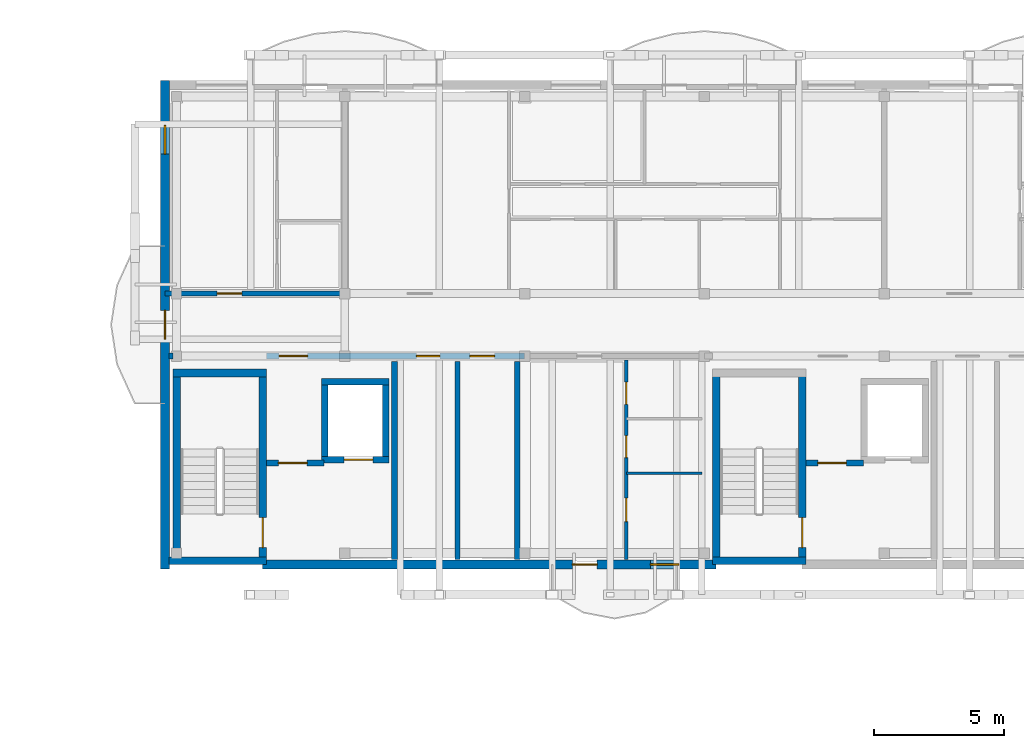
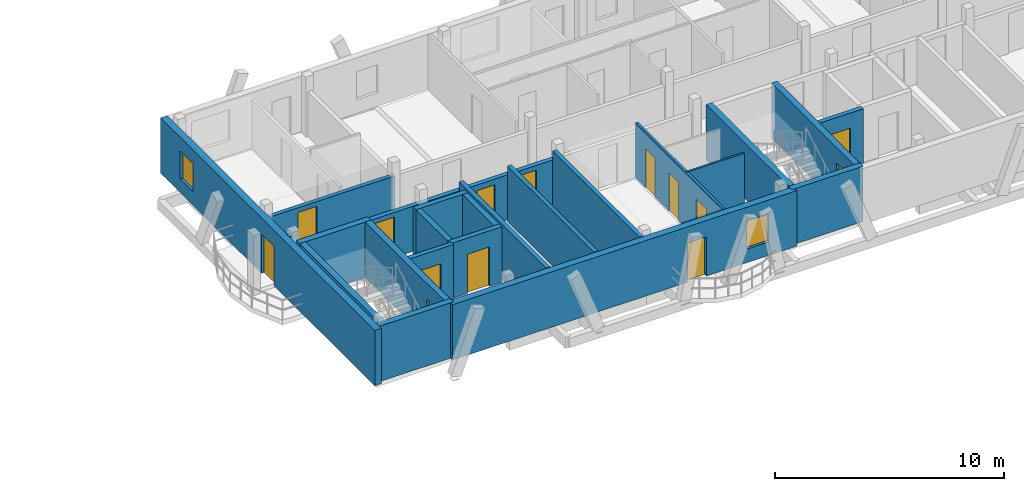
# One storey, part 21 of 33: 23 walls, 14 doors, 2 windows, 16 openings.
"""IFC4 building model written with IfcOpenShell, lengths in metres."""

from ifc_helpers import new_model, si_unit, direction, frame, frame_2d, origin, origin_with_axes, place, context, subcontext, project, spatial, rectangle, extrude, material, layer, layer_set, type_object, element, fill, save


model = new_model("IFC4")

# Units and contexts
model_context = context("Model", 3, precision=1e-05, world=origin(), true_north=direction((0.0, 1.0)))
body_context = subcontext(model_context, "Body", "Model", "MODEL_VIEW")
ifc_project = project(units=[si_unit("LENGTHUNIT", "METRE"), si_unit("AREAUNIT", "SQUARE_METRE"), si_unit("VOLUMEUNIT", "CUBIC_METRE"), si_unit("PLANEANGLEUNIT", "RADIAN"), si_unit("MASSUNIT", "GRAM", prefix="KILO")], contexts=[model_context])

# Site, building, storey
site_placement = place(None, origin())
site = spatial("IfcSite", under=ifc_project, at=site_placement, CompositionType="ELEMENT")
building_placement = place(site_placement, origin())
building = spatial("IfcBuilding", under=site, at=building_placement, Name="Zavelmont Quarter", CompositionType="ELEMENT")
storey_placement = place(building_placement, frame((0.0, 0.0, 30.39990234375)))
storey = spatial("IfcBuildingStorey", under=building, at=storey_placement, Name="L09", CompositionType="ELEMENT", Elevation=30.39990234375)

# Wall, openings, door, window
ifc_material_1 = material(Name="Natural Belgian limestone", Category="masonry")
ifc_layer_1 = layer(ifc_material_1, 0.340087890625)
ifc_layer_set_1 = layer_set([ifc_layer_1], Name="Natural Belgian limestone")
wall_type_1 = type_object("IfcWallType", Name="EW03", PredefinedType="STANDARD", material=ifc_layer_set_1)
wall_1_placement = place(storey_placement, frame((130.35009765625, 97.60009765625, 0.0), z_axis=(0.0, 0.0, 1.0), x_axis=(1.0, 0.0, 0.0)))
wall_1 = element("IfcWall", 1, at=wall_1_placement, inside=storey, type_object=wall_type_1, Name="L09 exterior limestone wall EW03", PredefinedType="STANDARD", context=body_context, shape_type="SweptSolid", body=[
    extrude(rectangle(XDim=17.39990234375, YDim=0.340087890625, at=frame_2d((8.699951171875, 0.0))), origin(), (0.0, 0.0, 1.0), 2.960205078125),
])
opening_1_placement = place(wall_1_placement, frame((11.87939453125, 0.0, 0.0)))
opening_1 = element("IfcOpeningElement", 2, at=opening_1_placement, cuts=wall_1, Name="Opening DR04", PredefinedType="OPENING", context=body_context, shape_type="SweptSolid", body=[
    extrude(rectangle(XDim=0.949951171875, YDim=2.10009765625, at=frame_2d((0.47509765625, 1.050048828125))), frame((0.0, 0.18212890625, 0.0), z_axis=(0.0, -1.0, 0.0), x_axis=(1.0, 0.0, 0.0)), (0.0, 0.0, 1.0), 0.364013671875),
])
opening_2_placement = place(wall_1_placement, frame((14.8701171875, 0.0, 0.719970703125)))
opening_2 = element("IfcOpeningElement", 3, at=opening_2_placement, cuts=wall_1, Name="Opening WN09", PredefinedType="OPENING", context=body_context, shape_type="SweptSolid", body=[
    extrude(rectangle(XDim=1.10009765625, YDim=1.5, at=frame_2d((0.550048828125, 0.75))), frame((0.0, 0.18212890625, 0.0), z_axis=(0.0, -1.0, 0.0), x_axis=(1.0, 0.0, 0.0)), (0.0, 0.0, 1.0), 0.364013671875),
])
ifc_material_2 = material(Name="Thermally broken aluminium and double safety glass", Category="aluminium")
door_type_1 = type_object("IfcDoorType", Name="DR04", OperationType="NOTDEFINED", PredefinedType="DOOR", material=ifc_material_2)
door_1_placement = place(opening_1_placement, origin_with_axes())
door_1 = element("IfcDoor", 4, at=door_1_placement, inside=storey, type_object=door_type_1, Name="Block C L09 glazed balcony door", OperationType="SINGLE_SWING_RIGHT", OverallHeight=2.10009765625, OverallWidth=0.949951171875, PredefinedType="DOOR", context=body_context, shape_type="SweptSolid", body=[
    extrude(rectangle(XDim=0.949951171875, YDim=2.10009765625, at=frame_2d((0.47509765625, 1.050048828125))), frame((0.0, 0.02490234375, 0.0), z_axis=(0.0, -1.0, 0.0), x_axis=(1.0, 0.0, 0.0)), (0.0, 0.0, 1.0), 0.050048828125),
])
fill(opening_1, door_1)
ifc_material_3 = material(Name="Double low-E insulated glazing in thermally broken aluminium frame", Category="aluminium")
window_type = type_object("IfcWindowType", Name="WN09", PartitioningType="SINGLE_PANEL", PredefinedType="WINDOW", material=ifc_material_3)
window_1_placement = place(opening_2_placement, origin_with_axes())
window_1 = element("IfcWindow", 5, at=window_1_placement, inside=storey, type_object=window_type, Name="L09 window WN09", OverallHeight=1.5, OverallWidth=1.10009765625, PartitioningType="SINGLE_PANEL", PredefinedType="WINDOW", context=body_context, shape_type="SweptSolid", body=[
    extrude(rectangle(XDim=1.10009765625, YDim=1.5, at=frame_2d((0.550048828125, 0.75))), frame((0.0, 0.030029296875, 0.0), z_axis=(0.0, -1.0, 0.0), x_axis=(1.0, 0.0, 0.0)), (0.0, 0.0, 1.0), 0.06005859375),
])
fill(opening_2, window_1)

wall_2_placement = place(storey_placement, frame((126.60009765625, 97.429931640625, 0.0), z_axis=(0.0, 0.0, 1.0), x_axis=(0.0, 1.0, 0.0)))
wall_2 = element("IfcWall", 6, at=wall_2_placement, inside=storey, type_object=wall_type_1, Name="L09 exterior limestone wall EW03", PredefinedType="STANDARD", context=body_context, shape_type="SweptSolid", body=[
    extrude(rectangle(XDim=18.739990234375, YDim=0.340087890625, at=frame_2d((9.3701171875, 0.0))), origin(), (0.0, 0.0, 1.0), 2.960205078125),
])
opening_3_placement = place(wall_2_placement, frame((8.820068359375, 0.0, 0.0)))
opening_3 = element("IfcOpeningElement", 7, at=opening_3_placement, cuts=wall_2, Name="Opening DR04B", PredefinedType="OPENING", context=body_context, shape_type="SweptSolid", body=[
    extrude(rectangle(XDim=1.10009765625, YDim=2.10009765625, at=frame_2d((0.550048828125, 1.050048828125))), frame((0.0, 0.18212890625, 0.0), z_axis=(0.0, -1.0, 0.0), x_axis=(1.0, 0.0, 0.0)), (0.0, 0.0, 1.0), 0.364013671875),
])
opening_4_placement = place(wall_2_placement, frame((15.919921875, 0.0, 0.719970703125)))
opening_4 = element("IfcOpeningElement", 8, at=opening_4_placement, cuts=wall_2, Name="Opening WN09", PredefinedType="OPENING", context=body_context, shape_type="SweptSolid", body=[
    extrude(rectangle(XDim=1.10009765625, YDim=1.5, at=frame_2d((0.550048828125, 0.75))), frame((0.0, 0.18212890625, 0.0), z_axis=(0.0, -1.0, 0.0), x_axis=(1.0, 0.0, 0.0)), (0.0, 0.0, 1.0), 0.364013671875),
])
door_type_2 = type_object("IfcDoorType", Name="DR04B", OperationType="NOTDEFINED", PredefinedType="DOOR", material=ifc_material_2)
door_2_placement = place(opening_3_placement, frame((1.10009765625, 0.0, 0.0), z_axis=(0.0, 0.0, 1.0), x_axis=(-1.0, 0.0, 0.0)))
door_2 = element("IfcDoor", 9, at=door_2_placement, inside=storey, type_object=door_type_2, Name="Block C L09 terrace or vase balcony door", OperationType="SINGLE_SWING_RIGHT", OverallHeight=2.10009765625, OverallWidth=1.10009765625, PredefinedType="DOOR", context=body_context, shape_type="SweptSolid", body=[
    extrude(rectangle(XDim=1.10009765625, YDim=2.10009765625, at=frame_2d((0.550048828125, 1.050048828125))), frame((0.0, 0.02490234375, 0.0), z_axis=(0.0, -1.0, 0.0), x_axis=(1.0, 0.0, 0.0)), (0.0, 0.0, 1.0), 0.050048828125),
])
fill(opening_3, door_2)
window_2_placement = place(opening_4_placement, origin_with_axes())
window_2 = element("IfcWindow", 10, at=window_2_placement, inside=storey, type_object=window_type, Name="L09 window WN09", OverallHeight=1.5, OverallWidth=1.10009765625, PartitioningType="SINGLE_PANEL", PredefinedType="WINDOW", context=body_context, shape_type="SweptSolid", body=[
    extrude(rectangle(XDim=1.10009765625, YDim=1.5, at=frame_2d((0.550048828125, 0.75))), frame((0.0, 0.030029296875, 0.0), z_axis=(0.0, -1.0, 0.0), x_axis=(1.0, 0.0, 0.0)), (0.0, 0.0, 1.0), 0.06005859375),
])
fill(opening_4, window_2)

# Walls
ifc_material_4 = material(Name="Calcium-silicate blockwork and acoustic plaster", Category="masonry")
ifc_layer_2 = layer(ifc_material_4, 0.199951171875)
ifc_layer_set_2 = layer_set([ifc_layer_2], Name="Calcium-silicate blockwork and acoustic plaster")
wall_type_2 = type_object("IfcWallType", Name="IW01", PredefinedType="PARTITIONING", material=ifc_layer_set_2)
for number, where, z_axis, x_axis, name in (
    (11, (137.824951171875, 97.800048828125, 0.0), (0.0, 0.0, 1.0), (0.0, 1.0, 0.0), "L09 Service riser divider wall IW01"),
    (12, (140.1201171875, 97.800048828125, 0.0), (0.0, 0.0, 1.0), (0.0, 1.0, 0.0), "L09 Core service end wall IW01"),
):
    element("IfcWall", number, at=place(storey_placement, frame(where, z_axis=z_axis, x_axis=x_axis)), inside=storey, type_object=wall_type_2, Name=name, PredefinedType="PARTITIONING", context=body_context, shape_type="SweptSolid", body=[
        extrude(rectangle(XDim=7.599853515625, YDim=0.199951171875, at=frame_2d((3.7998046875, 0.0))), origin(), (0.0, 0.0, 1.0), 2.960205078125),
    ])

# Wall, opening, door
wall_3_placement = place(storey_placement, frame((126.60009765625, 108.0, 0.0), z_axis=(0.0, 0.0, 1.0), x_axis=(1.0, 0.0, 0.0)))
wall_3 = element("IfcWall", 13, at=wall_3_placement, inside=storey, type_object=wall_type_2, Name="L09 Corridor compartment wall IW01", PredefinedType="PARTITIONING", context=body_context, shape_type="SweptSolid", body=[
    extrude(rectangle(XDim=6.89990234375, YDim=0.199951171875, at=frame_2d((3.449951171875, 0.0))), origin(), (0.0, 0.0, 1.0), 2.400146484375),
])
opening_5_placement = place(wall_3_placement, frame((2.0, 0.0, 0.0)))
opening_5 = element("IfcOpeningElement", 14, at=opening_5_placement, cuts=wall_3, Name="Opening DR02", PredefinedType="OPENING", context=body_context, shape_type="SweptSolid", body=[
    extrude(rectangle(XDim=0.949951171875, YDim=2.14990234375, at=frame_2d((0.47509765625, 1.074951171875))), frame((0.0, 0.11181640625, 0.0), z_axis=(0.0, -1.0, 0.0), x_axis=(1.0, 0.0, 0.0)), (0.0, 0.0, 1.0), 0.223876953125),
])
ifc_material_5 = material(Name="Solid-core oak fire leaf in steel frame", Category="steel")
door_type_3 = type_object("IfcDoorType", Name="DR02", OperationType="NOTDEFINED", PredefinedType="DOOR", material=ifc_material_5)
door_3_placement = place(opening_5_placement, origin_with_axes())
door_3 = element("IfcDoor", 15, at=door_3_placement, inside=storey, type_object=door_type_3, Name="L09 door DR02", OperationType="SINGLE_SWING_LEFT", OverallHeight=2.14990234375, OverallWidth=0.949951171875, PredefinedType="DOOR", context=body_context, shape_type="SweptSolid", body=[
    extrude(rectangle(XDim=0.949951171875, YDim=2.14990234375, at=frame_2d((0.47509765625, 1.074951171875))), frame((0.0, 0.02490234375, 0.0), z_axis=(0.0, -1.0, 0.0), x_axis=(1.0, 0.0, 0.0)), (0.0, 0.0, 1.0), 0.050048828125),
])
fill(opening_5, door_3)

# Wall
ifc_material_6 = material(Name="Reinforced masonry fire compartment wall", Category="masonry")
ifc_layer_3 = layer(ifc_material_6, 0.22509765625)
ifc_layer_set_3 = layer_set([ifc_layer_3], Name="Reinforced masonry fire compartment wall")
wall_type_3 = type_object("IfcWallType", Name="IW02", PredefinedType="PARTITIONING", material=ifc_layer_set_3)
wall_4_placement = place(storey_placement, frame((135.409912109375, 97.800048828125, 0.0), z_axis=(0.0, 0.0, 1.0), x_axis=(0.0, 1.0, 0.0)))
element("IfcWall", 16, at=wall_4_placement, inside=storey, type_object=wall_type_3, Name="L09 Firefighting lobby enclosure wall IW02", PredefinedType="PARTITIONING", context=body_context, shape_type="SweptSolid", body=[
    extrude(rectangle(XDim=7.599853515625, YDim=0.22509765625, at=frame_2d((3.7998046875, 0.0))), origin(), (0.0, 0.0, 1.0), 2.960205078125),
])

# Wall, opening, door
wall_5_placement = place(storey_placement, frame((130.5, 101.5, 0.0), z_axis=(0.0, 0.0, 1.0), x_axis=(1.0, 0.0, 0.0)))
wall_5 = element("IfcWall", 17, at=wall_5_placement, inside=storey, type_object=wall_type_3, Name="L09 Firefighting lobby threshold wall IW02", PredefinedType="PARTITIONING", context=body_context, shape_type="SweptSolid", body=[
    extrude(rectangle(XDim=2.199951171875, YDim=0.22509765625, at=frame_2d((1.10009765625, 0.0))), origin(), (0.0, 0.0, 1.0), 2.960205078125),
])
opening_6_placement = place(wall_5_placement, frame((0.449951171875, 0.0, 0.0)))
opening_6 = element("IfcOpeningElement", 18, at=opening_6_placement, cuts=wall_5, Name="Opening DR10", PredefinedType="OPENING", context=body_context, shape_type="SweptSolid", body=[
    extrude(rectangle(XDim=1.10009765625, YDim=2.14990234375, at=frame_2d((0.550048828125, 1.074951171875))), frame((0.0, 0.12451171875, 0.0), z_axis=(0.0, -1.0, 0.0), x_axis=(1.0, 0.0, 0.0)), (0.0, 0.0, 1.0), 0.2490234375),
])
ifc_material_7 = material(Name="Painted steel lobby fire door", Category="steel")
door_type_4 = type_object("IfcDoorType", Name="DR10", OperationType="NOTDEFINED", PredefinedType="DOOR", material=ifc_material_7)
door_4_placement = place(opening_6_placement, frame((1.10009765625, 0.0, 0.0), z_axis=(0.0, 0.0, 1.0), x_axis=(-1.0, 0.0, 0.0)))
door_4 = element("IfcDoor", 19, at=door_4_placement, inside=storey, type_object=door_type_4, Name="Firefighting lobby fire door", OperationType="SINGLE_SWING_LEFT", OverallHeight=2.14990234375, OverallWidth=1.10009765625, PredefinedType="DOOR", context=body_context, shape_type="SweptSolid", body=[
    extrude(rectangle(XDim=1.10009765625, YDim=2.14990234375, at=frame_2d((0.550048828125, 1.074951171875))), frame((0.0, 0.02490234375, 0.0), z_axis=(0.0, -1.0, 0.0), x_axis=(1.0, 0.0, 0.0)), (0.0, 0.0, 1.0), 0.050048828125),
])
fill(opening_6, door_4)

# Wall
wall_6_placement = place(storey_placement, frame((126.75, 105.60009765625, 0.0), z_axis=(0.0, 0.0, 1.0), x_axis=(1.0, 0.0, 0.0)))
element("IfcWall", 20, at=wall_6_placement, inside=storey, type_object=wall_type_3, Name="L09 Core corridor wall IW02", PredefinedType="PARTITIONING", context=body_context, shape_type="SweptSolid", body=[
    extrude(rectangle(XDim=0.14990234375, YDim=0.22509765625, at=frame_2d((0.074951171875, 0.0))), origin(), (0.0, 0.0, 1.0), 2.960205078125),
])

# Wall, openings, doors
wall_7_placement = place(storey_placement, frame((130.5, 105.60009765625, 0.0), z_axis=(0.0, 0.0, 1.0), x_axis=(1.0, 0.0, 0.0)))
wall_7 = element("IfcWall", 21, at=wall_7_placement, inside=storey, type_object=wall_type_3, Name="L09 Core corridor fire wall IW02", PredefinedType="PARTITIONING", context=body_context, shape_type="SweptSolid", body=[
    extrude(rectangle(XDim=9.89990234375, YDim=0.22509765625, at=frame_2d((4.949951171875, 0.0))), origin(), (0.0, 0.0, 1.0), 2.400146484375),
])
opening_7_placement = place(wall_7_placement, frame((0.47509765625, 0.0, 0.0)))
opening_7 = element("IfcOpeningElement", 22, at=opening_7_placement, cuts=wall_7, Name="Opening DR10", PredefinedType="OPENING", context=body_context, shape_type="SweptSolid", body=[
    extrude(rectangle(XDim=1.10009765625, YDim=2.14990234375, at=frame_2d((0.550048828125, 1.074951171875))), frame((0.0, 0.12451171875, 0.0), z_axis=(0.0, -1.0, 0.0), x_axis=(1.0, 0.0, 0.0)), (0.0, 0.0, 1.0), 0.2490234375),
])
opening_8_placement = place(wall_7_placement, frame((5.75, 0.0, 0.0)))
opening_8 = element("IfcOpeningElement", 23, at=opening_8_placement, cuts=wall_7, Name="Opening DR11", PredefinedType="OPENING", context=body_context, shape_type="SweptSolid", body=[
    extrude(rectangle(XDim=0.89990234375, YDim=2.10009765625, at=frame_2d((0.449951171875, 1.050048828125))), frame((0.0, 0.12451171875, 0.0), z_axis=(0.0, -1.0, 0.0), x_axis=(1.0, 0.0, 0.0)), (0.0, 0.0, 1.0), 0.2490234375),
])
opening_9_placement = place(wall_7_placement, frame((7.800048828125, 0.0, 0.0)))
opening_9 = element("IfcOpeningElement", 24, at=opening_9_placement, cuts=wall_7, Name="Opening DR02", PredefinedType="OPENING", context=body_context, shape_type="SweptSolid", body=[
    extrude(rectangle(XDim=0.949951171875, YDim=2.14990234375, at=frame_2d((0.47509765625, 1.074951171875))), frame((0.0, 0.12451171875, 0.0), z_axis=(0.0, -1.0, 0.0), x_axis=(1.0, 0.0, 0.0)), (0.0, 0.0, 1.0), 0.2490234375),
])
door_5_placement = place(opening_9_placement, origin_with_axes())
door_5 = element("IfcDoor", 25, at=door_5_placement, inside=storey, type_object=door_type_3, Name="Auxiliary store corridor door", OperationType="SINGLE_SWING_RIGHT", OverallHeight=2.14990234375, OverallWidth=0.949951171875, PredefinedType="DOOR", context=body_context, shape_type="SweptSolid", body=[
    extrude(rectangle(XDim=0.949951171875, YDim=2.14990234375, at=frame_2d((0.47509765625, 1.074951171875))), frame((0.0, 0.02490234375, 0.0), z_axis=(0.0, -1.0, 0.0), x_axis=(1.0, 0.0, 0.0)), (0.0, 0.0, 1.0), 0.050048828125),
])
fill(opening_9, door_5)
door_6_placement = place(opening_7_placement, frame((1.10009765625, 0.0, 0.0), z_axis=(0.0, 0.0, 1.0), x_axis=(-1.0, 0.0, 0.0)))
door_6 = element("IfcDoor", 26, at=door_6_placement, inside=storey, type_object=door_type_4, Name="Core vestibule fire door", OperationType="SINGLE_SWING_RIGHT", OverallHeight=2.14990234375, OverallWidth=1.10009765625, PredefinedType="DOOR", context=body_context, shape_type="SweptSolid", body=[
    extrude(rectangle(XDim=1.10009765625, YDim=2.14990234375, at=frame_2d((0.550048828125, 1.074951171875))), frame((0.0, 0.02490234375, 0.0), z_axis=(0.0, -1.0, 0.0), x_axis=(1.0, 0.0, 0.0)), (0.0, 0.0, 1.0), 0.050048828125),
])
fill(opening_7, door_6)
ifc_material_8 = material(Name="Painted steel service-riser fire door", Category="steel")
door_type_5 = type_object("IfcDoorType", Name="DR11", OperationType="NOTDEFINED", PredefinedType="DOOR", material=ifc_material_8)
door_7_placement = place(opening_8_placement, origin_with_axes())
door_7 = element("IfcDoor", 27, at=door_7_placement, inside=storey, type_object=door_type_5, Name="Service riser fire door", OperationType="SINGLE_SWING_LEFT", OverallHeight=2.10009765625, OverallWidth=0.89990234375, PredefinedType="DOOR", context=body_context, shape_type="SweptSolid", body=[
    extrude(rectangle(XDim=0.89990234375, YDim=2.10009765625, at=frame_2d((0.449951171875, 1.050048828125))), frame((0.0, 0.02490234375, 0.0), z_axis=(0.0, -1.0, 0.0), x_axis=(1.0, 0.0, 0.0)), (0.0, 0.0, 1.0), 0.050048828125),
])
fill(opening_8, door_7)

# Wall, opening, door
wall_8_placement = place(storey_placement, frame((151.199951171875, 101.5, 0.0), z_axis=(0.0, 0.0, 1.0), x_axis=(1.0, 0.0, 0.0)))
wall_8 = element("IfcWall", 28, at=wall_8_placement, inside=storey, type_object=wall_type_3, Name="L09 Firefighting lobby threshold wall IW02", PredefinedType="PARTITIONING", context=body_context, shape_type="SweptSolid", body=[
    extrude(rectangle(XDim=2.199951171875, YDim=0.22509765625, at=frame_2d((1.10009765625, 0.0))), origin(), (0.0, 0.0, 1.0), 2.960205078125),
])
opening_10_placement = place(wall_8_placement, frame((0.449951171875, 0.0, 0.0)))
opening_10 = element("IfcOpeningElement", 29, at=opening_10_placement, cuts=wall_8, Name="Opening DR10", PredefinedType="OPENING", context=body_context, shape_type="SweptSolid", body=[
    extrude(rectangle(XDim=1.10009765625, YDim=2.14990234375, at=frame_2d((0.550048828125, 1.074951171875))), frame((0.0, 0.12451171875, 0.0), z_axis=(0.0, -1.0, 0.0), x_axis=(1.0, 0.0, 0.0)), (0.0, 0.0, 1.0), 0.2490234375),
])
door_8_placement = place(opening_10_placement, frame((1.10009765625, 0.0, 0.0), z_axis=(0.0, 0.0, 1.0), x_axis=(-1.0, 0.0, 0.0)))
door_8 = element("IfcDoor", 30, at=door_8_placement, inside=storey, type_object=door_type_4, Name="Firefighting lobby fire door", OperationType="SINGLE_SWING_RIGHT", OverallHeight=2.14990234375, OverallWidth=1.10009765625, PredefinedType="DOOR", context=body_context, shape_type="SweptSolid", body=[
    extrude(rectangle(XDim=1.10009765625, YDim=2.14990234375, at=frame_2d((0.550048828125, 1.074951171875))), frame((0.0, 0.02490234375, 0.0), z_axis=(0.0, -1.0, 0.0), x_axis=(1.0, 0.0, 0.0)), (0.0, 0.0, 1.0), 0.050048828125),
])
fill(opening_10, door_8)

# Wall, openings, doors
ifc_material_9 = material(Name="Double gypsum board on acoustic steel stud", Category="steel")
ifc_layer_4 = layer(ifc_material_9, 0.125)
ifc_layer_set_4 = layer_set([ifc_layer_4], Name="Double gypsum board on acoustic steel stud")
wall_type_4 = type_object("IfcWallType", Name="IW03", PredefinedType="PARTITIONING", material=ifc_layer_set_4)
wall_9_placement = place(storey_placement, frame((144.300048828125, 105.449951171875, 0.0), z_axis=(0.0, 0.0, 1.0), x_axis=(0.0, -1.0, 0.0)))
wall_9 = element("IfcWall", 31, at=wall_9_placement, inside=storey, type_object=wall_type_4, Name="L09 Partition IW03", PredefinedType="PARTITIONING", context=body_context, shape_type="SweptSolid", body=[
    extrude(rectangle(XDim=7.64990234375, YDim=0.125, at=frame_2d((3.824951171875, 0.0))), origin(), (0.0, 0.0, 1.0), 2.960205078125),
])
opening_11_placement = place(wall_9_placement, frame((0.85009765625, 0.0, 0.0)))
opening_11 = element("IfcOpeningElement", 32, at=opening_11_placement, cuts=wall_9, Name="Opening DR16", PredefinedType="OPENING", context=body_context, shape_type="SweptSolid", body=[
    extrude(rectangle(XDim=0.85009765625, YDim=2.10009765625, at=frame_2d((0.425048828125, 1.050048828125))), frame((0.0, 0.074462890625, 0.0), z_axis=(0.0, -1.0, 0.0), x_axis=(1.0, 0.0, 0.0)), (0.0, 0.0, 1.0), 0.14892578125),
])
opening_12_placement = place(wall_9_placement, frame((2.89990234375, 0.0, 0.0)))
opening_12 = element("IfcOpeningElement", 33, at=opening_12_placement, cuts=wall_9, Name="Opening DR06", PredefinedType="OPENING", context=body_context, shape_type="SweptSolid", body=[
    extrude(rectangle(XDim=0.85009765625, YDim=2.050048828125, at=frame_2d((0.425048828125, 1.02490234375))), frame((0.0, 0.074462890625, 0.0), z_axis=(0.0, -1.0, 0.0), x_axis=(1.0, 0.0, 0.0)), (0.0, 0.0, 1.0), 0.14892578125),
])
opening_13_placement = place(wall_9_placement, frame((5.300048828125, 0.0, 0.0)))
opening_13 = element("IfcOpeningElement", 34, at=opening_13_placement, cuts=wall_9, Name="Opening DR05", PredefinedType="OPENING", context=body_context, shape_type="SweptSolid", body=[
    extrude(rectangle(XDim=0.89990234375, YDim=2.10009765625, at=frame_2d((0.449951171875, 1.050048828125))), frame((0.0, 0.074462890625, 0.0), z_axis=(0.0, -1.0, 0.0), x_axis=(1.0, 0.0, 0.0)), (0.0, 0.0, 1.0), 0.14892578125),
])
ifc_material_10 = material(Name="Engineered oak flush interior door")
door_type_6 = type_object("IfcDoorType", Name="DR05", OperationType="NOTDEFINED", PredefinedType="DOOR", material=ifc_material_10)
door_9_placement = place(opening_13_placement, origin_with_axes())
door_9 = element("IfcDoor", 35, at=door_9_placement, inside=storey, type_object=door_type_6, Name="L09 door DR05", OperationType="SINGLE_SWING_LEFT", OverallHeight=2.10009765625, OverallWidth=0.89990234375, PredefinedType="DOOR", context=body_context, shape_type="SweptSolid", body=[
    extrude(rectangle(XDim=0.89990234375, YDim=2.10009765625, at=frame_2d((0.449951171875, 1.050048828125))), frame((0.0, 0.02490234375, 0.0), z_axis=(0.0, -1.0, 0.0), x_axis=(1.0, 0.0, 0.0)), (0.0, 0.0, 1.0), 0.050048828125),
])
fill(opening_13, door_9)
ifc_material_11 = material(Name="Moisture-resistant painted wet-room door")
door_type_7 = type_object("IfcDoorType", Name="DR06", OperationType="NOTDEFINED", PredefinedType="DOOR", material=ifc_material_11)
door_10_placement = place(opening_12_placement, frame((0.85009765625, 0.0, 0.0), z_axis=(0.0, 0.0, 1.0), x_axis=(-1.0, 0.0, 0.0)))
door_10 = element("IfcDoor", 36, at=door_10_placement, inside=storey, type_object=door_type_7, Name="L09 door DR06", OperationType="SINGLE_SWING_RIGHT", OverallHeight=2.050048828125, OverallWidth=0.85009765625, PredefinedType="DOOR", context=body_context, shape_type="SweptSolid", body=[
    extrude(rectangle(XDim=0.85009765625, YDim=2.050048828125, at=frame_2d((0.425048828125, 1.02490234375))), frame((0.0, 0.02490234375, 0.0), z_axis=(0.0, -1.0, 0.0), x_axis=(1.0, 0.0, 0.0)), (0.0, 0.0, 1.0), 0.050048828125),
])
fill(opening_12, door_10)
door_type_8 = type_object("IfcDoorType", Name="DR16", OperationType="NOTDEFINED", PredefinedType="DOOR", material=ifc_material_10)
door_11_placement = place(opening_11_placement, origin_with_axes())
door_11 = element("IfcDoor", 37, at=door_11_placement, inside=storey, type_object=door_type_8, Name="L09 door DR16", OperationType="SINGLE_SWING_LEFT", OverallHeight=2.10009765625, OverallWidth=0.85009765625, PredefinedType="DOOR", context=body_context, shape_type="SweptSolid", body=[
    extrude(rectangle(XDim=0.85009765625, YDim=2.10009765625, at=frame_2d((0.425048828125, 1.050048828125))), frame((0.0, 0.02490234375, 0.0), z_axis=(0.0, -1.0, 0.0), x_axis=(1.0, 0.0, 0.0)), (0.0, 0.0, 1.0), 0.050048828125),
])
fill(opening_11, door_11)

# Walls
ifc_material_12 = material(Name="Moisture-resistant gypsum board on steel stud", Category="steel")
ifc_layer_5 = layer(ifc_material_12, 0.10009765625)
ifc_layer_set_5 = layer_set([ifc_layer_5], Name="Moisture-resistant gypsum board on steel stud")
wall_type_5 = type_object("IfcWallType", Name="IW04", PredefinedType="PARTITIONING", material=ifc_layer_set_5)
wall_10_placement = place(storey_placement, frame((144.300048828125, 101.10009765625, 0.0), z_axis=(0.0, 0.0, 1.0), x_axis=(1.0, 0.0, 0.0)))
element("IfcWall", 38, at=wall_10_placement, inside=storey, type_object=wall_type_5, Name="L09 Partition IW04", PredefinedType="PARTITIONING", context=body_context, shape_type="SweptSolid", body=[
    extrude(rectangle(XDim=2.89990234375, YDim=0.10009765625, at=frame_2d((1.449951171875, 0.0))), origin(), (0.0, 0.0, 1.0), 2.960205078125),
])
ifc_material_13 = material(Name="Concrete C40/50", Category="concrete")
ifc_layer_6 = layer(ifc_material_13, 0.300048828125)
ifc_layer_set_6 = layer_set([ifc_layer_6], Name="Concrete C40/50")
wall_type_6 = type_object("IfcWallType", Name="SW01", PredefinedType="SHEAR", material=ifc_layer_set_6)
wall_11_placement = place(storey_placement, frame((126.89990234375, 104.949951171875, 0.0), z_axis=(0.0, 0.0, 1.0), x_axis=(1.0, 0.0, 0.0)))
element("IfcWall", 39, at=wall_11_placement, inside=storey, type_object=wall_type_6, Name="L09 ST05 corridor shear wall SW01", PredefinedType="SHEAR", context=body_context, shape_type="SweptSolid", body=[
    extrude(rectangle(XDim=3.60009765625, YDim=0.300048828125, at=frame_2d((1.800048828125, 0.0))), origin(), (0.0, 0.0, 1.0), 2.960205078125),
])
wall_12_placement = place(storey_placement, frame((127.050048828125, 97.60009765625, 0.0), z_axis=(0.0, 0.0, 1.0), x_axis=(0.0, 1.0, 0.0)))
element("IfcWall", 40, at=wall_12_placement, inside=storey, type_object=wall_type_6, Name="L09 ST05 west shear wall SW01", PredefinedType="SHEAR", context=body_context, shape_type="SweptSolid", body=[
    extrude(rectangle(XDim=7.5, YDim=0.300048828125, at=frame_2d((3.75, 0.0))), origin(), (0.0, 0.0, 1.0), 2.960205078125),
])

# Wall, opening, door
wall_13_placement = place(storey_placement, frame((130.35009765625, 97.60009765625, 0.0), z_axis=(0.0, 0.0, 1.0), x_axis=(0.0, 1.0, 0.0)))
wall_13 = element("IfcWall", 41, at=wall_13_placement, inside=storey, type_object=wall_type_6, Name="L09 ST05 lobby shear wall SW01", PredefinedType="SHEAR", context=body_context, shape_type="SweptSolid", body=[
    extrude(rectangle(XDim=7.5, YDim=0.300048828125, at=frame_2d((3.75, 0.0))), origin(), (0.0, 0.0, 1.0), 2.960205078125),
])
opening_14_placement = place(wall_13_placement, frame((0.64990234375, 0.0, 0.0)))
opening_14 = element("IfcOpeningElement", 42, at=opening_14_placement, cuts=wall_13, Name="Opening DR09", PredefinedType="OPENING", context=body_context, shape_type="SweptSolid", body=[
    extrude(rectangle(XDim=1.14990234375, YDim=2.14990234375, at=frame_2d((0.574951171875, 1.074951171875))), frame((0.0, 0.162109375, 0.0), z_axis=(0.0, -1.0, 0.0), x_axis=(1.0, 0.0, 0.0)), (0.0, 0.0, 1.0), 0.323974609375),
])
ifc_material_14 = material(Name="Painted steel stair-core fire door", Category="steel")
door_type_9 = type_object("IfcDoorType", Name="DR09", OperationType="NOTDEFINED", PredefinedType="DOOR", material=ifc_material_14)
door_12_placement = place(opening_14_placement, origin_with_axes())
door_12 = element("IfcDoor", 43, at=door_12_placement, inside=storey, type_object=door_type_9, Name="ST05 protected stair door", OperationType="SINGLE_SWING_RIGHT", OverallHeight=2.14990234375, OverallWidth=1.14990234375, PredefinedType="DOOR", context=body_context, shape_type="SweptSolid", body=[
    extrude(rectangle(XDim=1.14990234375, YDim=2.14990234375, at=frame_2d((0.574951171875, 1.074951171875))), frame((0.0, 0.02490234375, 0.0), z_axis=(0.0, -1.0, 0.0), x_axis=(1.0, 0.0, 0.0)), (0.0, 0.0, 1.0), 0.050048828125),
])
fill(opening_14, door_12)

# Wall
wall_14_placement = place(storey_placement, frame((147.75, 97.60009765625, 0.0), z_axis=(0.0, 0.0, 1.0), x_axis=(0.0, 1.0, 0.0)))
element("IfcWall", 44, at=wall_14_placement, inside=storey, type_object=wall_type_6, Name="L09 ST06 west shear wall SW01", PredefinedType="SHEAR", context=body_context, shape_type="SweptSolid", body=[
    extrude(rectangle(XDim=7.5, YDim=0.300048828125, at=frame_2d((3.75, 0.0))), origin(), (0.0, 0.0, 1.0), 2.960205078125),
])

# Wall, opening, door
wall_15_placement = place(storey_placement, frame((151.050048828125, 97.60009765625, 0.0), z_axis=(0.0, 0.0, 1.0), x_axis=(0.0, 1.0, 0.0)))
wall_15 = element("IfcWall", 45, at=wall_15_placement, inside=storey, type_object=wall_type_6, Name="L09 ST06 lobby shear wall SW01", PredefinedType="SHEAR", context=body_context, shape_type="SweptSolid", body=[
    extrude(rectangle(XDim=7.5, YDim=0.300048828125, at=frame_2d((3.75, 0.0))), origin(), (0.0, 0.0, 1.0), 2.960205078125),
])
opening_15_placement = place(wall_15_placement, frame((0.64990234375, 0.0, 0.0)))
opening_15 = element("IfcOpeningElement", 46, at=opening_15_placement, cuts=wall_15, Name="Opening DR09", PredefinedType="OPENING", context=body_context, shape_type="SweptSolid", body=[
    extrude(rectangle(XDim=1.14990234375, YDim=2.14990234375, at=frame_2d((0.574951171875, 1.074951171875))), frame((0.0, 0.162109375, 0.0), z_axis=(0.0, -1.0, 0.0), x_axis=(1.0, 0.0, 0.0)), (0.0, 0.0, 1.0), 0.323974609375),
])
door_13_placement = place(opening_15_placement, origin_with_axes())
door_13 = element("IfcDoor", 47, at=door_13_placement, inside=storey, type_object=door_type_9, Name="ST06 protected stair door", OperationType="SINGLE_SWING_RIGHT", OverallHeight=2.14990234375, OverallWidth=1.14990234375, PredefinedType="DOOR", context=body_context, shape_type="SweptSolid", body=[
    extrude(rectangle(XDim=1.14990234375, YDim=2.14990234375, at=frame_2d((0.574951171875, 1.074951171875))), frame((0.0, 0.02490234375, 0.0), z_axis=(0.0, -1.0, 0.0), x_axis=(1.0, 0.0, 0.0)), (0.0, 0.0, 1.0), 0.050048828125),
])
fill(opening_15, door_13)

ifc_layer_7 = layer(ifc_material_13, 0.25)
ifc_layer_set_7 = layer_set([ifc_layer_7], Name="Concrete C40/50")
wall_type_7 = type_object("IfcWallType", Name="SW02", PredefinedType="SHEAR", material=ifc_layer_set_7)
wall_16_placement = place(storey_placement, frame((132.60009765625, 101.625, 0.0), z_axis=(0.0, 0.0, 1.0), x_axis=(1.0, 0.0, 0.0)))
wall_16 = element("IfcWall", 48, at=wall_16_placement, inside=storey, type_object=wall_type_7, Name="L09 Lift FL03 landing shaft wall SW02", PredefinedType="SHEAR", context=body_context, shape_type="SweptSolid", body=[
    extrude(rectangle(XDim=2.599853515625, YDim=0.25, at=frame_2d((1.2998046875, 0.0))), origin(), (0.0, 0.0, 1.0), 2.960205078125),
])
opening_16_placement = place(wall_16_placement, frame((0.875, 0.0, 0.0)))
opening_16 = element("IfcOpeningElement", 49, at=opening_16_placement, cuts=wall_16, Name="Opening LD02", PredefinedType="OPENING", context=body_context, shape_type="SweptSolid", body=[
    extrude(rectangle(XDim=1.10009765625, YDim=2.10009765625, at=frame_2d((0.550048828125, 1.050048828125))), frame((0.0, 0.136962890625, 0.0), z_axis=(0.0, -1.0, 0.0), x_axis=(1.0, 0.0, 0.0)), (0.0, 0.0, 1.0), 0.27392578125),
])
ifc_material_15 = material(Name="Brushed stainless-steel firefighting lift landing door", Category="steel")
door_type_10 = type_object("IfcDoorType", Name="LD02", OperationType="SLIDING_TO_LEFT", PredefinedType="DOOR", material=ifc_material_15)
door_14_placement = place(opening_16_placement, origin_with_axes())
door_14 = element("IfcDoor", 50, at=door_14_placement, inside=storey, type_object=door_type_10, Name="Lift FL03 sliding landing door", OperationType="SLIDING_TO_LEFT", OverallHeight=2.10009765625, OverallWidth=1.10009765625, PredefinedType="DOOR", context=body_context, shape_type="SweptSolid", body=[
    extrude(rectangle(XDim=1.10009765625, YDim=2.10009765625, at=frame_2d((0.550048828125, 1.050048828125))), frame((0.0, 0.02490234375, 0.0), z_axis=(0.0, -1.0, 0.0), x_axis=(1.0, 0.0, 0.0)), (0.0, 0.0, 1.0), 0.050048828125),
])
fill(opening_16, door_14)

# Walls
wall_17_placement = place(storey_placement, frame((132.60009765625, 104.625, 0.0), z_axis=(0.0, 0.0, 1.0), x_axis=(1.0, 0.0, 0.0)))
element("IfcWall", 51, at=wall_17_placement, inside=storey, type_object=wall_type_7, Name="L09 Lift FL03 back shaft wall SW02", PredefinedType="SHEAR", context=body_context, shape_type="SweptSolid", body=[
    extrude(rectangle(XDim=2.599853515625, YDim=0.25, at=frame_2d((1.2998046875, 0.0))), origin(), (0.0, 0.0, 1.0), 2.960205078125),
])
for number, where, z_axis, x_axis, name in (
    (52, (132.72509765625, 101.5, 0.0), (0.0, 0.0, 1.0), (0.0, 1.0, 0.0), "L09 Lift FL03 west shaft wall SW02"),
    (53, (135.074951171875, 101.5, 0.0), (0.0, 0.0, 1.0), (0.0, 1.0, 0.0), "L09 Lift FL03 east shaft wall SW02"),
):
    element("IfcWall", number, at=place(storey_placement, frame(where, z_axis=z_axis, x_axis=x_axis)), inside=storey, type_object=wall_type_7, Name=name, PredefinedType="SHEAR", context=body_context, shape_type="SweptSolid", body=[
        extrude(rectangle(XDim=3.25, YDim=0.25, at=frame_2d((1.625, 0.0))), origin(), (0.0, 0.0, 1.0), 2.960205078125),
    ])
ifc_layer_8 = layer(ifc_material_13, 0.300048828125)
ifc_layer_set_8 = layer_set([ifc_layer_8], Name="Concrete C40/50")
wall_type_8 = type_object("IfcWallType", Name="SW03", PredefinedType="SHEAR", material=ifc_layer_set_8)
wall_18_placement = place(storey_placement, frame((126.75, 97.75, 0.0), z_axis=(0.0, 0.0, 1.0), x_axis=(1.0, 0.0, 0.0)))
element("IfcWall", 54, at=wall_18_placement, inside=storey, type_object=wall_type_8, Name="L09 ST05 outer shear wall SW03", PredefinedType="SHEAR", context=body_context, shape_type="SweptSolid", body=[
    extrude(rectangle(XDim=3.75, YDim=0.300048828125, at=frame_2d((1.875, 0.0))), origin(), (0.0, 0.0, 1.0), 2.960205078125),
])
wall_19_placement = place(storey_placement, frame((147.60009765625, 97.75, 0.0), z_axis=(0.0, 0.0, 1.0), x_axis=(1.0, 0.0, 0.0)))
element("IfcWall", 55, at=wall_19_placement, inside=storey, type_object=wall_type_8, Name="L09 ST06 outer shear wall SW03", PredefinedType="SHEAR", context=body_context, shape_type="SweptSolid", body=[
    extrude(rectangle(XDim=3.599853515625, YDim=0.300048828125, at=frame_2d((1.7998046875, 0.0))), origin(), (0.0, 0.0, 1.0), 2.960205078125),
])

save(model, "model.ifc")
